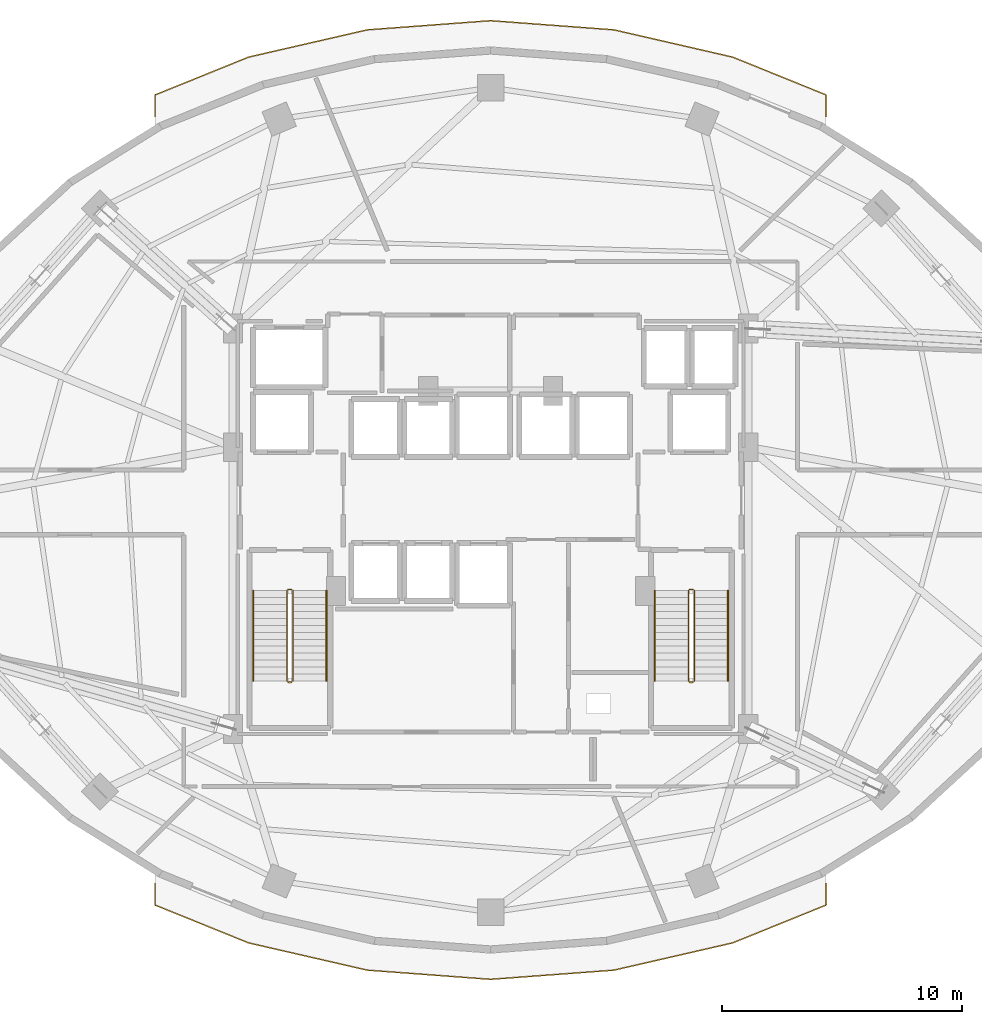
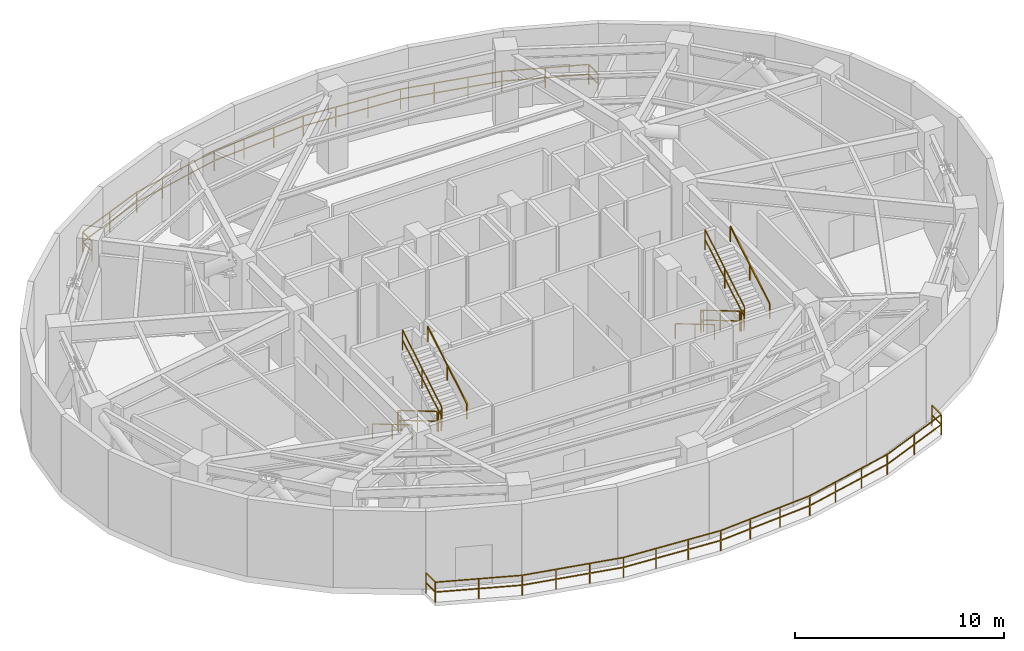
# One storey, part 11 of 11: 16 railings.
"""IFC4 building model written with IfcOpenShell, lengths in metres."""

from ifc_helpers import new_model, si_unit, direction, frame, origin, origin_2d, place, context, subcontext, project, spatial, rectangle, extrude, material, type_object, element, save


model = new_model("IFC4")

# Units and contexts
model_context = context("Model", 3, precision=1e-05, world=origin(), true_north=direction((0.0, 1.0)))
body_context = subcontext(model_context, "Body", "Model", "MODEL_VIEW")
ifc_project = project(units=[si_unit("LENGTHUNIT", "METRE"), si_unit("AREAUNIT", "SQUARE_METRE"), si_unit("VOLUMEUNIT", "CUBIC_METRE"), si_unit("PLANEANGLEUNIT", "RADIAN"), si_unit("MASSUNIT", "GRAM", prefix="KILO")], contexts=[model_context])

# Site, building, storey
site_placement = place(None, origin())
site = spatial("IfcSite", under=ifc_project, at=site_placement, CompositionType="ELEMENT")
building_placement = place(site_placement, origin())
building = spatial("IfcBuilding", under=site, at=building_placement, Name="Vorneva Point Tower", CompositionType="ELEMENT")
storey_placement = place(building_placement, frame((0.0, 0.0, 124.300048828125)))
storey = spatial("IfcBuildingStorey", under=building, at=storey_placement, Name="L33", CompositionType="ELEMENT", Elevation=124.300048828125)

# Railings
ifc_material_1 = material(Name="Pale anodised aluminium", Category="aluminium")
railing_type_1 = type_object("IfcRailingType", Name="RL-BAL-1200", PredefinedType="BALUSTRADE", material=ifc_material_1)
railing_1_placement = place(storey_placement, frame((52.0, 9.1005859375, 0.0)))
element("IfcRailing", 1, at=railing_1_placement, inside=storey, type_object=railing_type_1, Name="L33 Sky-Garden South Guardrail 1", PredefinedType="BALUSTRADE", context=body_context, shape_type="SweptSolid", body=[
    extrude(rectangle(XDim=0.048095703125, YDim=0.048095703125, at=origin_2d()), frame((0.0, 0.0, 1.17578125), z_axis=(0.0, 1.0, 0.0), x_axis=(-1.0, 0.0, 0.0)), (0.0, 0.0, 1.0), 0.896484375),
    extrude(rectangle(XDim=0.048095703125, YDim=0.048095703125, at=origin_2d()), frame((0.0, 0.0, 0.60009765625), z_axis=(0.0, 1.0, 0.0), x_axis=(-1.0, 0.0, 0.0)), (0.0, 0.0, 1.0), 0.896484375),
    extrude(rectangle(XDim=0.0419921875, YDim=0.0419921875, at=origin_2d()), origin(), (0.0, 0.0, 1.0), 1.15185546875),
    extrude(rectangle(XDim=0.0419921875, YDim=0.0419921875, at=origin_2d()), frame((0.0, 0.896484375, 0.0)), (0.0, 0.0, 1.0), 1.15185546875),
])
railing_2_placement = place(storey_placement, frame((24.0, 9.9970703125, 0.0)))
element("IfcRailing", 2, at=railing_2_placement, inside=storey, type_object=railing_type_1, Name="L33 Sky-Garden South Guardrail 2", PredefinedType="BALUSTRADE", context=body_context, shape_type="SweptSolid", body=[
    extrude(rectangle(XDim=0.048095703125, YDim=0.048095703125, at=origin_2d()), frame((0.0, 0.0, 1.17578125), z_axis=(0.0, -1.0, 0.0), x_axis=(1.0, 0.0, 0.0)), (0.0, 0.0, 1.0), 0.896484375),
    extrude(rectangle(XDim=0.048095703125, YDim=0.048095703125, at=origin_2d()), frame((0.0, 0.0, 0.60009765625), z_axis=(0.0, -1.0, 0.0), x_axis=(1.0, 0.0, 0.0)), (0.0, 0.0, 1.0), 0.896484375),
    extrude(rectangle(XDim=0.048095703125, YDim=0.048095703125, at=origin_2d()), frame((0.0, -0.896484375, 1.17578125), z_axis=(0.92689054798, -0.375331736023, 0.0), x_axis=(0.375331736023, 0.92689054798, 0.0)), (0.0, 0.0, 1.0), 4.20458984375),
    extrude(rectangle(XDim=0.048095703125, YDim=0.048095703125, at=origin_2d()), frame((0.0, -0.896484375, 0.60009765625), z_axis=(0.92689054798, -0.375331736023, 0.0), x_axis=(0.375331736023, 0.92689054798, 0.0)), (0.0, 0.0, 1.0), 4.20458984375),
    extrude(rectangle(XDim=0.048095703125, YDim=0.048095703125, at=origin_2d()), frame((3.897216796875, -2.474609375, 1.17578125), z_axis=(0.974592430941, -0.223985699435, 0.0), x_axis=(0.223985699435, 0.974592430941, 0.0)), (0.0, 0.0, 1.0), 5.08154296875),
    extrude(rectangle(XDim=0.048095703125, YDim=0.048095703125, at=origin_2d()), frame((3.897216796875, -2.474609375, 0.60009765625), z_axis=(0.974592430941, -0.223985699435, 0.0), x_axis=(0.223985699435, 0.974592430941, 0.0)), (0.0, 0.0, 1.0), 5.08154296875),
    extrude(rectangle(XDim=0.048095703125, YDim=0.048095703125, at=origin_2d()), frame((8.849609375, -3.61279296875, 1.17578125), z_axis=(0.997228144419, -0.07440448897, 0.0), x_axis=(0.07440448897, 0.997228144419, 0.0)), (0.0, 0.0, 1.0), 5.164794921875),
    extrude(rectangle(XDim=0.048095703125, YDim=0.048095703125, at=origin_2d()), frame((8.849609375, -3.61279296875, 0.60009765625), z_axis=(0.997228144419, -0.07440448897, 0.0), x_axis=(0.07440448897, 0.997228144419, 0.0)), (0.0, 0.0, 1.0), 5.164794921875),
    extrude(rectangle(XDim=0.048095703125, YDim=0.048095703125, at=origin_2d()), frame((14.0, -3.9970703125, 1.17578125), z_axis=(0.997228144419, 0.07440448897, 0.0), x_axis=(-0.07440448897, 0.997228144419, 0.0)), (0.0, 0.0, 1.0), 5.164794921875),
    extrude(rectangle(XDim=0.048095703125, YDim=0.048095703125, at=origin_2d()), frame((14.0, -3.9970703125, 0.60009765625), z_axis=(0.997228144419, 0.07440448897, 0.0), x_axis=(-0.07440448897, 0.997228144419, 0.0)), (0.0, 0.0, 1.0), 5.164794921875),
    extrude(rectangle(XDim=0.048095703125, YDim=0.048095703125, at=origin_2d()), frame((19.150390625, -3.61279296875, 1.17578125), z_axis=(0.974592430941, 0.223985699435, 0.0), x_axis=(-0.223985699435, 0.974592430941, 0.0)), (0.0, 0.0, 1.0), 5.08154296875),
    extrude(rectangle(XDim=0.048095703125, YDim=0.048095703125, at=origin_2d()), frame((19.150390625, -3.61279296875, 0.60009765625), z_axis=(0.974592430941, 0.223985699435, 0.0), x_axis=(-0.223985699435, 0.974592430941, 0.0)), (0.0, 0.0, 1.0), 5.08154296875),
    extrude(rectangle(XDim=0.048095703125, YDim=0.048095703125, at=origin_2d()), frame((24.102783203125, -2.474609375, 1.17578125), z_axis=(0.92689054798, 0.375331736023, 0.0), x_axis=(-0.375331736023, 0.92689054798, 0.0)), (0.0, 0.0, 1.0), 4.20458984375),
    extrude(rectangle(XDim=0.048095703125, YDim=0.048095703125, at=origin_2d()), frame((24.102783203125, -2.474609375, 0.60009765625), z_axis=(0.92689054798, 0.375331736023, 0.0), x_axis=(-0.375331736023, 0.92689054798, 0.0)), (0.0, 0.0, 1.0), 4.20458984375),
    extrude(rectangle(XDim=0.0419921875, YDim=0.0419921875, at=origin_2d()), origin(), (0.0, 0.0, 1.0), 1.15185546875),
    extrude(rectangle(XDim=0.0419921875, YDim=0.0419921875, at=origin_2d()), frame((0.0, -0.896484375, 0.0)), (0.0, 0.0, 1.0), 1.15185546875),
    extrude(rectangle(XDim=0.0419921875, YDim=0.0419921875, at=origin_2d()), frame((1.94873046875, -1.685546875, 0.0)), (0.0, 0.0, 1.0), 1.15185546875),
    extrude(rectangle(XDim=0.0419921875, YDim=0.0419921875, at=origin_2d()), frame((3.897216796875, -2.474609375, 0.0)), (0.0, 0.0, 1.0), 1.15185546875),
    extrude(rectangle(XDim=0.0419921875, YDim=0.0419921875, at=origin_2d()), frame((5.548095703125, -2.85400390625, 0.0)), (0.0, 0.0, 1.0), 1.15185546875),
    extrude(rectangle(XDim=0.0419921875, YDim=0.0419921875, at=origin_2d()), frame((7.19873046875, -3.2333984375, 0.0)), (0.0, 0.0, 1.0), 1.15185546875),
    extrude(rectangle(XDim=0.0419921875, YDim=0.0419921875, at=origin_2d()), frame((8.849609375, -3.61279296875, 0.0)), (0.0, 0.0, 1.0), 1.15185546875),
    extrude(rectangle(XDim=0.0419921875, YDim=0.0419921875, at=origin_2d()), frame((10.56640625, -3.740966796875, 0.0)), (0.0, 0.0, 1.0), 1.15185546875),
    extrude(rectangle(XDim=0.0419921875, YDim=0.0419921875, at=origin_2d()), frame((12.283203125, -3.868896484375, 0.0)), (0.0, 0.0, 1.0), 1.15185546875),
    extrude(rectangle(XDim=0.0419921875, YDim=0.0419921875, at=origin_2d()), frame((14.0, -3.9970703125, 0.0)), (0.0, 0.0, 1.0), 1.15185546875),
    extrude(rectangle(XDim=0.0419921875, YDim=0.0419921875, at=origin_2d()), frame((15.716796875, -3.868896484375, 0.0)), (0.0, 0.0, 1.0), 1.15185546875),
    extrude(rectangle(XDim=0.0419921875, YDim=0.0419921875, at=origin_2d()), frame((17.43359375, -3.740966796875, 0.0)), (0.0, 0.0, 1.0), 1.15185546875),
    extrude(rectangle(XDim=0.0419921875, YDim=0.0419921875, at=origin_2d()), frame((19.150390625, -3.61279296875, 0.0)), (0.0, 0.0, 1.0), 1.15185546875),
    extrude(rectangle(XDim=0.0419921875, YDim=0.0419921875, at=origin_2d()), frame((20.80126953125, -3.2333984375, 0.0)), (0.0, 0.0, 1.0), 1.15185546875),
    extrude(rectangle(XDim=0.0419921875, YDim=0.0419921875, at=origin_2d()), frame((22.451904296875, -2.85400390625, 0.0)), (0.0, 0.0, 1.0), 1.15185546875),
    extrude(rectangle(XDim=0.0419921875, YDim=0.0419921875, at=origin_2d()), frame((24.102783203125, -2.474609375, 0.0)), (0.0, 0.0, 1.0), 1.15185546875),
    extrude(rectangle(XDim=0.0419921875, YDim=0.0419921875, at=origin_2d()), frame((26.05126953125, -1.685546875, 0.0)), (0.0, 0.0, 1.0), 1.15185546875),
    extrude(rectangle(XDim=0.0419921875, YDim=0.0419921875, at=origin_2d()), frame((28.0, -0.896484375, 0.0)), (0.0, 0.0, 1.0), 1.15185546875),
])
railing_3_placement = place(storey_placement, frame((24.0, 42.8994140625, 0.0)))
element("IfcRailing", 3, at=railing_3_placement, inside=storey, type_object=railing_type_1, Name="L33 Sky-Garden North Guardrail 1", PredefinedType="BALUSTRADE", context=body_context, shape_type="SweptSolid", body=[
    extrude(rectangle(XDim=0.048095703125, YDim=0.048095703125, at=origin_2d()), frame((0.0, 0.0, 1.17578125), z_axis=(0.0, -1.0, 0.0), x_axis=(1.0, 0.0, 0.0)), (0.0, 0.0, 1.0), 0.896484375),
    extrude(rectangle(XDim=0.048095703125, YDim=0.048095703125, at=origin_2d()), frame((0.0, 0.0, 0.60009765625), z_axis=(0.0, -1.0, 0.0), x_axis=(1.0, 0.0, 0.0)), (0.0, 0.0, 1.0), 0.896484375),
    extrude(rectangle(XDim=0.0419921875, YDim=0.0419921875, at=origin_2d()), origin(), (0.0, 0.0, 1.0), 1.15185546875),
    extrude(rectangle(XDim=0.0419921875, YDim=0.0419921875, at=origin_2d()), frame((0.0, -0.896484375, 0.0)), (0.0, 0.0, 1.0), 1.15185546875),
])
railing_4_placement = place(storey_placement, frame((52.0, 42.0029296875, 0.0)))
element("IfcRailing", 4, at=railing_4_placement, inside=storey, type_object=railing_type_1, Name="L33 Sky-Garden North Guardrail 2", PredefinedType="BALUSTRADE", context=body_context, shape_type="SweptSolid", body=[
    extrude(rectangle(XDim=0.048095703125, YDim=0.048095703125, at=origin_2d()), frame((0.0, 0.0, 1.17578125), z_axis=(0.0, 1.0, 0.0), x_axis=(-1.0, 0.0, 0.0)), (0.0, 0.0, 1.0), 0.896484375),
    extrude(rectangle(XDim=0.048095703125, YDim=0.048095703125, at=origin_2d()), frame((0.0, 0.0, 0.60009765625), z_axis=(0.0, 1.0, 0.0), x_axis=(-1.0, 0.0, 0.0)), (0.0, 0.0, 1.0), 0.896484375),
    extrude(rectangle(XDim=0.048095703125, YDim=0.048095703125, at=origin_2d()), frame((0.0, 0.896484375, 1.17578125), z_axis=(-0.92689054798, 0.375331736023, 0.0), x_axis=(-0.375331736023, -0.92689054798, 0.0)), (0.0, 0.0, 1.0), 4.20458984375),
    extrude(rectangle(XDim=0.048095703125, YDim=0.048095703125, at=origin_2d()), frame((0.0, 0.896484375, 0.60009765625), z_axis=(-0.92689054798, 0.375331736023, 0.0), x_axis=(-0.375331736023, -0.92689054798, 0.0)), (0.0, 0.0, 1.0), 4.20458984375),
    extrude(rectangle(XDim=0.048095703125, YDim=0.048095703125, at=origin_2d()), frame((-3.897216796875, 2.474609375, 1.17578125), z_axis=(-0.974592430941, 0.223985699435, 0.0), x_axis=(-0.223985699435, -0.974592430941, 0.0)), (0.0, 0.0, 1.0), 5.08154296875),
    extrude(rectangle(XDim=0.048095703125, YDim=0.048095703125, at=origin_2d()), frame((-3.897216796875, 2.474609375, 0.60009765625), z_axis=(-0.974592430941, 0.223985699435, 0.0), x_axis=(-0.223985699435, -0.974592430941, 0.0)), (0.0, 0.0, 1.0), 5.08154296875),
    extrude(rectangle(XDim=0.048095703125, YDim=0.048095703125, at=origin_2d()), frame((-8.849609375, 3.61279296875, 1.17578125), z_axis=(-0.997228144419, 0.07440448897, 0.0), x_axis=(-0.07440448897, -0.997228144419, 0.0)), (0.0, 0.0, 1.0), 5.164794921875),
    extrude(rectangle(XDim=0.048095703125, YDim=0.048095703125, at=origin_2d()), frame((-8.849609375, 3.61279296875, 0.60009765625), z_axis=(-0.997228144419, 0.07440448897, 0.0), x_axis=(-0.07440448897, -0.997228144419, 0.0)), (0.0, 0.0, 1.0), 5.164794921875),
    extrude(rectangle(XDim=0.048095703125, YDim=0.048095703125, at=origin_2d()), frame((-14.0, 3.9970703125, 1.17578125), z_axis=(-0.997228144419, -0.07440448897, 0.0), x_axis=(0.07440448897, -0.997228144419, 0.0)), (0.0, 0.0, 1.0), 5.164794921875),
    extrude(rectangle(XDim=0.048095703125, YDim=0.048095703125, at=origin_2d()), frame((-14.0, 3.9970703125, 0.60009765625), z_axis=(-0.997228144419, -0.07440448897, 0.0), x_axis=(0.07440448897, -0.997228144419, 0.0)), (0.0, 0.0, 1.0), 5.164794921875),
    extrude(rectangle(XDim=0.048095703125, YDim=0.048095703125, at=origin_2d()), frame((-19.150390625, 3.61279296875, 1.17578125), z_axis=(-0.974592430941, -0.223985699435, 0.0), x_axis=(0.223985699435, -0.974592430941, 0.0)), (0.0, 0.0, 1.0), 5.08154296875),
    extrude(rectangle(XDim=0.048095703125, YDim=0.048095703125, at=origin_2d()), frame((-19.150390625, 3.61279296875, 0.60009765625), z_axis=(-0.974592430941, -0.223985699435, 0.0), x_axis=(0.223985699435, -0.974592430941, 0.0)), (0.0, 0.0, 1.0), 5.08154296875),
    extrude(rectangle(XDim=0.048095703125, YDim=0.048095703125, at=origin_2d()), frame((-24.102783203125, 2.474609375, 1.17578125), z_axis=(-0.92689054798, -0.375331736023, 0.0), x_axis=(0.375331736023, -0.92689054798, 0.0)), (0.0, 0.0, 1.0), 4.20458984375),
    extrude(rectangle(XDim=0.048095703125, YDim=0.048095703125, at=origin_2d()), frame((-24.102783203125, 2.474609375, 0.60009765625), z_axis=(-0.92689054798, -0.375331736023, 0.0), x_axis=(0.375331736023, -0.92689054798, 0.0)), (0.0, 0.0, 1.0), 4.20458984375),
    extrude(rectangle(XDim=0.0419921875, YDim=0.0419921875, at=origin_2d()), origin(), (0.0, 0.0, 1.0), 1.15185546875),
    extrude(rectangle(XDim=0.0419921875, YDim=0.0419921875, at=origin_2d()), frame((0.0, 0.896484375, 0.0)), (0.0, 0.0, 1.0), 1.15185546875),
    extrude(rectangle(XDim=0.0419921875, YDim=0.0419921875, at=origin_2d()), frame((-1.94873046875, 1.685546875, 0.0)), (0.0, 0.0, 1.0), 1.15185546875),
    extrude(rectangle(XDim=0.0419921875, YDim=0.0419921875, at=origin_2d()), frame((-3.897216796875, 2.474609375, 0.0)), (0.0, 0.0, 1.0), 1.15185546875),
    extrude(rectangle(XDim=0.0419921875, YDim=0.0419921875, at=origin_2d()), frame((-5.548095703125, 2.85400390625, 0.0)), (0.0, 0.0, 1.0), 1.15185546875),
    extrude(rectangle(XDim=0.0419921875, YDim=0.0419921875, at=origin_2d()), frame((-7.19873046875, 3.2333984375, 0.0)), (0.0, 0.0, 1.0), 1.15185546875),
    extrude(rectangle(XDim=0.0419921875, YDim=0.0419921875, at=origin_2d()), frame((-8.849609375, 3.61279296875, 0.0)), (0.0, 0.0, 1.0), 1.15185546875),
    extrude(rectangle(XDim=0.0419921875, YDim=0.0419921875, at=origin_2d()), frame((-10.56640625, 3.740966796875, 0.0)), (0.0, 0.0, 1.0), 1.15185546875),
    extrude(rectangle(XDim=0.0419921875, YDim=0.0419921875, at=origin_2d()), frame((-12.283203125, 3.868896484375, 0.0)), (0.0, 0.0, 1.0), 1.15185546875),
    extrude(rectangle(XDim=0.0419921875, YDim=0.0419921875, at=origin_2d()), frame((-14.0, 3.9970703125, 0.0)), (0.0, 0.0, 1.0), 1.15185546875),
    extrude(rectangle(XDim=0.0419921875, YDim=0.0419921875, at=origin_2d()), frame((-15.716796875, 3.868896484375, 0.0)), (0.0, 0.0, 1.0), 1.15185546875),
    extrude(rectangle(XDim=0.0419921875, YDim=0.0419921875, at=origin_2d()), frame((-17.43359375, 3.740966796875, 0.0)), (0.0, 0.0, 1.0), 1.15185546875),
    extrude(rectangle(XDim=0.0419921875, YDim=0.0419921875, at=origin_2d()), frame((-19.150390625, 3.61279296875, 0.0)), (0.0, 0.0, 1.0), 1.15185546875),
    extrude(rectangle(XDim=0.0419921875, YDim=0.0419921875, at=origin_2d()), frame((-20.80126953125, 3.2333984375, 0.0)), (0.0, 0.0, 1.0), 1.15185546875),
    extrude(rectangle(XDim=0.0419921875, YDim=0.0419921875, at=origin_2d()), frame((-22.451904296875, 2.85400390625, 0.0)), (0.0, 0.0, 1.0), 1.15185546875),
    extrude(rectangle(XDim=0.0419921875, YDim=0.0419921875, at=origin_2d()), frame((-24.102783203125, 2.474609375, 0.0)), (0.0, 0.0, 1.0), 1.15185546875),
    extrude(rectangle(XDim=0.0419921875, YDim=0.0419921875, at=origin_2d()), frame((-26.05126953125, 1.685546875, 0.0)), (0.0, 0.0, 1.0), 1.15185546875),
    extrude(rectangle(XDim=0.0419921875, YDim=0.0419921875, at=origin_2d()), frame((-28.0, 0.896484375, 0.0)), (0.0, 0.0, 1.0), 1.15185546875),
])
ifc_material_2 = material(Name="Brushed stainless steel S304", Category="steel")
railing_type_2 = type_object("IfcRailingType", Name="RL-HND-920", PredefinedType="HANDRAIL", material=ifc_material_2)
railing_5_placement = place(storey_placement, frame((28.10009765625, 22.219970703125, 0.17138671875)))
element("IfcRailing", 5, at=railing_5_placement, inside=storey, type_object=railing_type_2, Name="L33 ST1 stair handrail 1", PredefinedType="HANDRAIL", context=body_context, shape_type="SweptSolid", body=[
    extrude(rectangle(XDim=0.048095703125, YDim=0.048095703125, at=origin_2d()), frame((0.0, 0.0, 0.8759765625), z_axis=(0.0, -0.860848830602, 0.508860777473), x_axis=(1.0, 0.0, 0.0)), (0.0, 0.0, 1.0), 4.37939453125),
    extrude(rectangle(XDim=0.0419921875, YDim=0.0419921875, at=origin_2d()), origin(), (0.0, 0.0, 1.0), 0.851806640625),
    extrude(rectangle(XDim=0.0419921875, YDim=0.0419921875, at=origin_2d()), frame((0.0, -1.885009765625, 1.1142578125)), (0.0, 0.0, 1.0), 0.851806640625),
    extrude(rectangle(XDim=0.0419921875, YDim=0.0419921875, at=origin_2d()), frame((0.0, -3.77001953125, 2.228515625)), (0.0, 0.0, 1.0), 0.851806640625),
])
railing_6_placement = place(storey_placement, frame((31.14990234375, 18.449951171875, 2.5712890625)))
element("IfcRailing", 6, at=railing_6_placement, inside=storey, type_object=railing_type_2, Name="L33 ST1 stair handrail 2", PredefinedType="HANDRAIL", context=body_context, shape_type="SweptSolid", body=[
    extrude(rectangle(XDim=0.048095703125, YDim=0.048095703125, at=origin_2d()), frame((0.0, 0.0, 0.8759765625), z_axis=(0.0, 0.860824410104, 0.508902087802), x_axis=(-1.0, 0.0, 0.0)), (0.0, 0.0, 1.0), 4.379638671875),
    extrude(rectangle(XDim=0.0419921875, YDim=0.0419921875, at=origin_2d()), origin(), (0.0, 0.0, 1.0), 0.851806640625),
    extrude(rectangle(XDim=0.0419921875, YDim=0.0419921875, at=origin_2d()), frame((0.0, 1.885009765625, 1.1142578125)), (0.0, 0.0, 1.0), 0.851806640625),
    extrude(rectangle(XDim=0.0419921875, YDim=0.0419921875, at=origin_2d()), frame((0.0, 3.77001953125, 2.228759765625)), (0.0, 0.0, 1.0), 0.851806640625),
])
railing_7_placement = place(storey_placement, frame((44.85009765625, 22.219970703125, 0.17138671875)))
element("IfcRailing", 7, at=railing_7_placement, inside=storey, type_object=railing_type_2, Name="L33 ST2 stair handrail 1", PredefinedType="HANDRAIL", context=body_context, shape_type="SweptSolid", body=[
    extrude(rectangle(XDim=0.048095703125, YDim=0.048095703125, at=origin_2d()), frame((0.0, 0.0, 0.8759765625), z_axis=(0.0, -0.860848830602, 0.508860777473), x_axis=(1.0, 0.0, 0.0)), (0.0, 0.0, 1.0), 4.37939453125),
    extrude(rectangle(XDim=0.0419921875, YDim=0.0419921875, at=origin_2d()), origin(), (0.0, 0.0, 1.0), 0.851806640625),
    extrude(rectangle(XDim=0.0419921875, YDim=0.0419921875, at=origin_2d()), frame((0.0, -1.885009765625, 1.1142578125)), (0.0, 0.0, 1.0), 0.851806640625),
    extrude(rectangle(XDim=0.0419921875, YDim=0.0419921875, at=origin_2d()), frame((0.0, -3.77001953125, 2.228515625)), (0.0, 0.0, 1.0), 0.851806640625),
])
railing_8_placement = place(storey_placement, frame((47.89990234375, 18.449951171875, 2.5712890625)))
element("IfcRailing", 8, at=railing_8_placement, inside=storey, type_object=railing_type_2, Name="L33 ST2 stair handrail 2", PredefinedType="HANDRAIL", context=body_context, shape_type="SweptSolid", body=[
    extrude(rectangle(XDim=0.048095703125, YDim=0.048095703125, at=origin_2d()), frame((0.0, 0.0, 0.8759765625), z_axis=(0.0, 0.860824410104, 0.508902087802), x_axis=(-1.0, 0.0, 0.0)), (0.0, 0.0, 1.0), 4.379638671875),
    extrude(rectangle(XDim=0.0419921875, YDim=0.0419921875, at=origin_2d()), origin(), (0.0, 0.0, 1.0), 0.851806640625),
    extrude(rectangle(XDim=0.0419921875, YDim=0.0419921875, at=origin_2d()), frame((0.0, 1.885009765625, 1.1142578125)), (0.0, 0.0, 1.0), 0.851806640625),
    extrude(rectangle(XDim=0.0419921875, YDim=0.0419921875, at=origin_2d()), frame((0.0, 3.77001953125, 2.228759765625)), (0.0, 0.0, 1.0), 0.851806640625),
])
railing_type_3 = type_object("IfcRailingType", Name="RL-STG-1100", PredefinedType="GUARDRAIL", material=ifc_material_2)
railing_9_placement = place(storey_placement, frame((29.5, 22.219970703125, 0.17138671875)))
element("IfcRailing", 9, at=railing_9_placement, inside=storey, type_object=railing_type_3, Name="L33 ST1 stair guard 1", PredefinedType="GUARDRAIL", context=body_context, shape_type="SweptSolid", body=[
    extrude(rectangle(XDim=0.048095703125, YDim=0.048095703125, at=origin_2d()), frame((0.0, 0.0, 1.17578125), z_axis=(0.0, -0.860848830602, 0.508860777473), x_axis=(1.0, 0.0, 0.0)), (0.0, 0.0, 1.0), 4.37939453125),
    extrude(rectangle(XDim=0.048095703125, YDim=0.048095703125, at=origin_2d()), frame((0.0, 0.0, 0.60009765625), z_axis=(0.0, -0.860848830602, 0.508860777473), x_axis=(1.0, 0.0, 0.0)), (0.0, 0.0, 1.0), 4.37939453125),
    extrude(rectangle(XDim=0.0419921875, YDim=0.0419921875, at=origin_2d()), origin(), (0.0, 0.0, 1.0), 1.15185546875),
    extrude(rectangle(XDim=0.0419921875, YDim=0.0419921875, at=origin_2d()), frame((0.0, -1.885009765625, 1.1142578125)), (0.0, 0.0, 1.0), 1.15185546875),
    extrude(rectangle(XDim=0.0419921875, YDim=0.0419921875, at=origin_2d()), frame((0.0, -3.77001953125, 2.228515625)), (0.0, 0.0, 1.0), 1.15185546875),
])
railing_10_placement = place(storey_placement, frame((29.550048828125, 18.39990234375, 2.39990234375)))
element("IfcRailing", 10, at=railing_10_placement, inside=storey, type_object=railing_type_3, Name="L33 ST1 stair guard 2", PredefinedType="GUARDRAIL", context=body_context, shape_type="SweptSolid", body=[
    extrude(rectangle(XDim=0.048095703125, YDim=0.048095703125, at=origin_2d()), frame((0.0, 0.0, 1.17578125), z_axis=(1.0, 0.0, 0.0), x_axis=(0.0, 1.0, 0.0)), (0.0, 0.0, 1.0), 0.14990234375),
    extrude(rectangle(XDim=0.048095703125, YDim=0.048095703125, at=origin_2d()), frame((0.0, 0.0, 0.60009765625), z_axis=(1.0, 0.0, 0.0), x_axis=(0.0, 1.0, 0.0)), (0.0, 0.0, 1.0), 0.14990234375),
    extrude(rectangle(XDim=0.0419921875, YDim=0.0419921875, at=origin_2d()), origin(), (0.0, 0.0, 1.0), 1.15185546875),
    extrude(rectangle(XDim=0.0419921875, YDim=0.0419921875, at=origin_2d()), frame((0.14990234375, 0.0, 0.0)), (0.0, 0.0, 1.0), 1.15185546875),
])
railing_11_placement = place(storey_placement, frame((29.75, 18.449951171875, 2.5712890625)))
element("IfcRailing", 11, at=railing_11_placement, inside=storey, type_object=railing_type_3, Name="L33 ST1 stair guard 3", PredefinedType="GUARDRAIL", context=body_context, shape_type="SweptSolid", body=[
    extrude(rectangle(XDim=0.048095703125, YDim=0.048095703125, at=origin_2d()), frame((0.0, 0.0, 1.17578125), z_axis=(0.0, 0.860824410104, 0.508902087802), x_axis=(-1.0, 0.0, 0.0)), (0.0, 0.0, 1.0), 4.379638671875),
    extrude(rectangle(XDim=0.048095703125, YDim=0.048095703125, at=origin_2d()), frame((0.0, 0.0, 0.60009765625), z_axis=(0.0, 0.860824410104, 0.508902087802), x_axis=(-1.0, 0.0, 0.0)), (0.0, 0.0, 1.0), 4.379638671875),
    extrude(rectangle(XDim=0.0419921875, YDim=0.0419921875, at=origin_2d()), origin(), (0.0, 0.0, 1.0), 1.15185546875),
    extrude(rectangle(XDim=0.0419921875, YDim=0.0419921875, at=origin_2d()), frame((0.0, 1.885009765625, 1.1142578125)), (0.0, 0.0, 1.0), 1.15185546875),
    extrude(rectangle(XDim=0.0419921875, YDim=0.0419921875, at=origin_2d()), frame((0.0, 3.77001953125, 2.228759765625)), (0.0, 0.0, 1.0), 1.15185546875),
])
railing_12_placement = place(storey_placement, frame((29.550048828125, 22.27001953125, 0.0)))
element("IfcRailing", 12, at=railing_12_placement, inside=storey, type_object=railing_type_3, Name="L33 ST1 stair guard 4", PredefinedType="GUARDRAIL", context=body_context, shape_type="SweptSolid", body=[
    extrude(rectangle(XDim=0.048095703125, YDim=0.048095703125, at=origin_2d()), frame((0.0, 0.0, 1.17578125), z_axis=(1.0, 0.0, 0.0), x_axis=(0.0, 1.0, 0.0)), (0.0, 0.0, 1.0), 0.14990234375),
    extrude(rectangle(XDim=0.048095703125, YDim=0.048095703125, at=origin_2d()), frame((0.0, 0.0, 0.60009765625), z_axis=(1.0, 0.0, 0.0), x_axis=(0.0, 1.0, 0.0)), (0.0, 0.0, 1.0), 0.14990234375),
    extrude(rectangle(XDim=0.0419921875, YDim=0.0419921875, at=origin_2d()), origin(), (0.0, 0.0, 1.0), 1.15185546875),
    extrude(rectangle(XDim=0.0419921875, YDim=0.0419921875, at=origin_2d()), frame((0.14990234375, 0.0, 0.0)), (0.0, 0.0, 1.0), 1.15185546875),
])
railing_13_placement = place(storey_placement, frame((46.25, 22.219970703125, 0.17138671875)))
element("IfcRailing", 13, at=railing_13_placement, inside=storey, type_object=railing_type_3, Name="L33 ST2 stair guard 1", PredefinedType="GUARDRAIL", context=body_context, shape_type="SweptSolid", body=[
    extrude(rectangle(XDim=0.048095703125, YDim=0.048095703125, at=origin_2d()), frame((0.0, 0.0, 1.17578125), z_axis=(0.0, -0.860848830602, 0.508860777473), x_axis=(1.0, 0.0, 0.0)), (0.0, 0.0, 1.0), 4.37939453125),
    extrude(rectangle(XDim=0.048095703125, YDim=0.048095703125, at=origin_2d()), frame((0.0, 0.0, 0.60009765625), z_axis=(0.0, -0.860848830602, 0.508860777473), x_axis=(1.0, 0.0, 0.0)), (0.0, 0.0, 1.0), 4.37939453125),
    extrude(rectangle(XDim=0.0419921875, YDim=0.0419921875, at=origin_2d()), origin(), (0.0, 0.0, 1.0), 1.15185546875),
    extrude(rectangle(XDim=0.0419921875, YDim=0.0419921875, at=origin_2d()), frame((0.0, -1.885009765625, 1.1142578125)), (0.0, 0.0, 1.0), 1.15185546875),
    extrude(rectangle(XDim=0.0419921875, YDim=0.0419921875, at=origin_2d()), frame((0.0, -3.77001953125, 2.228515625)), (0.0, 0.0, 1.0), 1.15185546875),
])
railing_14_placement = place(storey_placement, frame((46.300048828125, 18.39990234375, 2.39990234375)))
element("IfcRailing", 14, at=railing_14_placement, inside=storey, type_object=railing_type_3, Name="L33 ST2 stair guard 2", PredefinedType="GUARDRAIL", context=body_context, shape_type="SweptSolid", body=[
    extrude(rectangle(XDim=0.048095703125, YDim=0.048095703125, at=origin_2d()), frame((0.0, 0.0, 1.17578125), z_axis=(1.0, 0.0, 0.0), x_axis=(0.0, 1.0, 0.0)), (0.0, 0.0, 1.0), 0.14990234375),
    extrude(rectangle(XDim=0.048095703125, YDim=0.048095703125, at=origin_2d()), frame((0.0, 0.0, 0.60009765625), z_axis=(1.0, 0.0, 0.0), x_axis=(0.0, 1.0, 0.0)), (0.0, 0.0, 1.0), 0.14990234375),
    extrude(rectangle(XDim=0.0419921875, YDim=0.0419921875, at=origin_2d()), origin(), (0.0, 0.0, 1.0), 1.15185546875),
    extrude(rectangle(XDim=0.0419921875, YDim=0.0419921875, at=origin_2d()), frame((0.14990234375, 0.0, 0.0)), (0.0, 0.0, 1.0), 1.15185546875),
])
railing_15_placement = place(storey_placement, frame((46.5, 18.449951171875, 2.5712890625)))
element("IfcRailing", 15, at=railing_15_placement, inside=storey, type_object=railing_type_3, Name="L33 ST2 stair guard 3", PredefinedType="GUARDRAIL", context=body_context, shape_type="SweptSolid", body=[
    extrude(rectangle(XDim=0.048095703125, YDim=0.048095703125, at=origin_2d()), frame((0.0, 0.0, 1.17578125), z_axis=(0.0, 0.860824410104, 0.508902087802), x_axis=(-1.0, 0.0, 0.0)), (0.0, 0.0, 1.0), 4.379638671875),
    extrude(rectangle(XDim=0.048095703125, YDim=0.048095703125, at=origin_2d()), frame((0.0, 0.0, 0.60009765625), z_axis=(0.0, 0.860824410104, 0.508902087802), x_axis=(-1.0, 0.0, 0.0)), (0.0, 0.0, 1.0), 4.379638671875),
    extrude(rectangle(XDim=0.0419921875, YDim=0.0419921875, at=origin_2d()), origin(), (0.0, 0.0, 1.0), 1.15185546875),
    extrude(rectangle(XDim=0.0419921875, YDim=0.0419921875, at=origin_2d()), frame((0.0, 1.885009765625, 1.1142578125)), (0.0, 0.0, 1.0), 1.15185546875),
    extrude(rectangle(XDim=0.0419921875, YDim=0.0419921875, at=origin_2d()), frame((0.0, 3.77001953125, 2.228759765625)), (0.0, 0.0, 1.0), 1.15185546875),
])
railing_16_placement = place(storey_placement, frame((46.300048828125, 22.27001953125, 0.0)))
element("IfcRailing", 16, at=railing_16_placement, inside=storey, type_object=railing_type_3, Name="L33 ST2 stair guard 4", PredefinedType="GUARDRAIL", context=body_context, shape_type="SweptSolid", body=[
    extrude(rectangle(XDim=0.048095703125, YDim=0.048095703125, at=origin_2d()), frame((0.0, 0.0, 1.17578125), z_axis=(1.0, 0.0, 0.0), x_axis=(0.0, 1.0, 0.0)), (0.0, 0.0, 1.0), 0.14990234375),
    extrude(rectangle(XDim=0.048095703125, YDim=0.048095703125, at=origin_2d()), frame((0.0, 0.0, 0.60009765625), z_axis=(1.0, 0.0, 0.0), x_axis=(0.0, 1.0, 0.0)), (0.0, 0.0, 1.0), 0.14990234375),
    extrude(rectangle(XDim=0.0419921875, YDim=0.0419921875, at=origin_2d()), origin(), (0.0, 0.0, 1.0), 1.15185546875),
    extrude(rectangle(XDim=0.0419921875, YDim=0.0419921875, at=origin_2d()), frame((0.14990234375, 0.0, 0.0)), (0.0, 0.0, 1.0), 1.15185546875),
])

save(model, "model.ifc")
